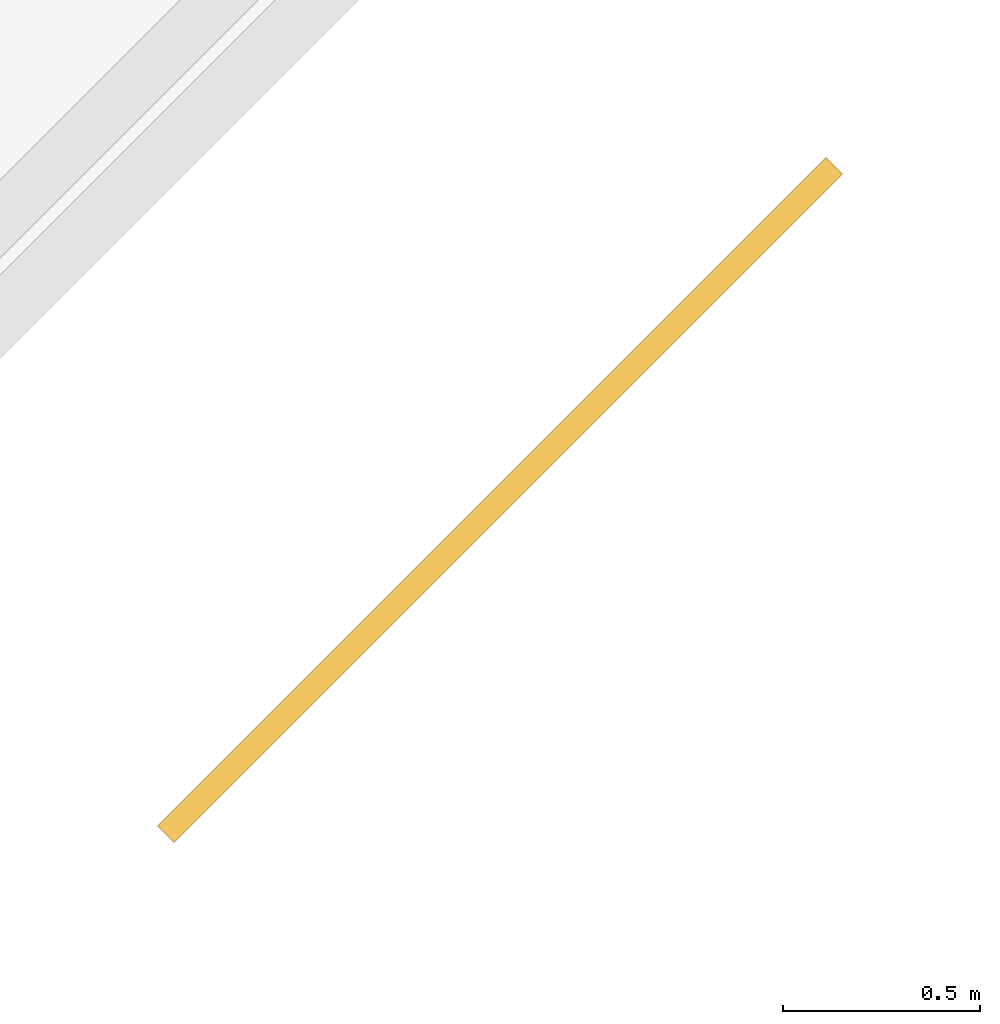
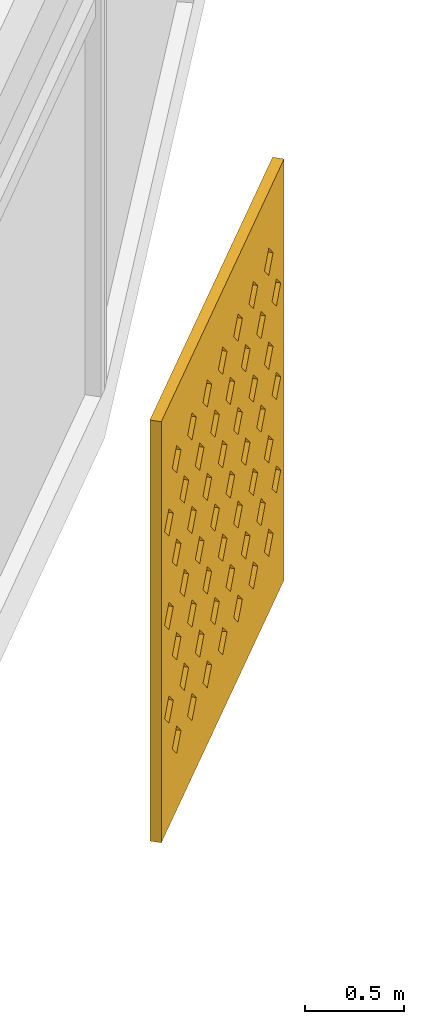
# One storey, part 31 of 31: 1 shading device.
"""IFC4 building model written with IfcOpenShell, lengths in metres."""

from ifc_helpers import new_model, si_unit, direction, frame, origin, place, context, subcontext, project, spatial, polyline, outline, extrude, material, material_profile, profile_set, type_object, element, save


model = new_model("IFC4")

# Units and contexts
model_context = context("Model", 3, precision=1e-05, world=origin(), true_north=direction((0.0, 1.0)))
body_context = subcontext(model_context, "Body", "Model", "MODEL_VIEW")
ifc_project = project(units=[si_unit("LENGTHUNIT", "METRE"), si_unit("AREAUNIT", "SQUARE_METRE"), si_unit("VOLUMEUNIT", "CUBIC_METRE"), si_unit("PLANEANGLEUNIT", "RADIAN"), si_unit("MASSUNIT", "GRAM", prefix="KILO")], contexts=[model_context])

# Site, building, storey
site_placement = place(None, origin())
site = spatial("IfcSite", under=ifc_project, at=site_placement, CompositionType="ELEMENT")
building_placement = place(site_placement, origin())
building = spatial("IfcBuilding", under=site, at=building_placement, Name="Qamariyya Broadcast Tower", CompositionType="ELEMENT")
storey_placement = place(building_placement, frame((0.0, 0.0, 82.300048828125)))
storey = spatial("IfcBuildingStorey", under=building, at=storey_placement, Name="L17", CompositionType="ELEMENT", Elevation=82.300048828125)

# Shading device
ifc_material = material(Name="Perforated glazed terracotta", Category="masonry")
ifc_material_profile = material_profile(ifc_material, outline(polyline([(-1.199951171875, -1.300048828125), (1.199951171875, -1.300048828125), (1.199951171875, 1.300048828125), (-1.199951171875, 1.300048828125), (-1.199951171875, -1.300048828125)]), holes=[polyline([(-0.81494140625, -0.86669921875), (-0.89990234375, -0.78173828125), (-0.985107421875, -0.86669921875), (-0.89990234375, -0.95166015625), (-0.81494140625, -0.86669921875)]), polyline([(-0.514892578125, -0.86669921875), (-0.60009765625, -0.78173828125), (-0.68505859375, -0.86669921875), (-0.60009765625, -0.95166015625), (-0.514892578125, -0.86669921875)]), polyline([(-0.215087890625, -0.86669921875), (-0.300048828125, -0.78173828125), (-0.385009765625, -0.86669921875), (-0.300048828125, -0.95166015625), (-0.215087890625, -0.86669921875)]), polyline([(0.0849609375, -0.86669921875), (0.0, -0.78173828125), (-0.0849609375, -0.86669921875), (0.0, -0.95166015625), (0.0849609375, -0.86669921875)]), polyline([(0.385009765625, -0.86669921875), (0.300048828125, -0.78173828125), (0.215087890625, -0.86669921875), (0.300048828125, -0.95166015625), (0.385009765625, -0.86669921875)]), polyline([(0.68505859375, -0.86669921875), (0.60009765625, -0.78173828125), (0.514892578125, -0.86669921875), (0.60009765625, -0.95166015625), (0.68505859375, -0.86669921875)]), polyline([(0.985107421875, -0.86669921875), (0.89990234375, -0.78173828125), (0.81494140625, -0.86669921875), (0.89990234375, -0.95166015625), (0.985107421875, -0.86669921875)]), polyline([(-0.965087890625, -0.577880859375), (-1.050048828125, -0.49267578125), (-1.135009765625, -0.577880859375), (-1.050048828125, -0.662841796875), (-0.965087890625, -0.577880859375)]), polyline([(-0.6650390625, -0.577880859375), (-0.75, -0.49267578125), (-0.8349609375, -0.577880859375), (-0.75, -0.662841796875), (-0.6650390625, -0.577880859375)]), polyline([(-0.364990234375, -0.577880859375), (-0.449951171875, -0.49267578125), (-0.534912109375, -0.577880859375), (-0.449951171875, -0.662841796875), (-0.364990234375, -0.577880859375)]), polyline([(-0.06494140625, -0.577880859375), (-0.14990234375, -0.49267578125), (-0.235107421875, -0.577880859375), (-0.14990234375, -0.662841796875), (-0.06494140625, -0.577880859375)]), polyline([(0.235107421875, -0.577880859375), (0.14990234375, -0.49267578125), (0.06494140625, -0.577880859375), (0.14990234375, -0.662841796875), (0.235107421875, -0.577880859375)]), polyline([(0.534912109375, -0.577880859375), (0.449951171875, -0.49267578125), (0.364990234375, -0.577880859375), (0.449951171875, -0.662841796875), (0.534912109375, -0.577880859375)]), polyline([(0.8349609375, -0.577880859375), (0.75, -0.49267578125), (0.6650390625, -0.577880859375), (0.75, -0.662841796875), (0.8349609375, -0.577880859375)]), polyline([(1.135009765625, -0.577880859375), (1.050048828125, -0.49267578125), (0.965087890625, -0.577880859375), (1.050048828125, -0.662841796875), (1.135009765625, -0.577880859375)]), polyline([(-0.81494140625, -0.288818359375), (-0.89990234375, -0.203857421875), (-0.985107421875, -0.288818359375), (-0.89990234375, -0.373779296875), (-0.81494140625, -0.288818359375)]), polyline([(-0.514892578125, -0.288818359375), (-0.60009765625, -0.203857421875), (-0.68505859375, -0.288818359375), (-0.60009765625, -0.373779296875), (-0.514892578125, -0.288818359375)]), polyline([(-0.215087890625, -0.288818359375), (-0.300048828125, -0.203857421875), (-0.385009765625, -0.288818359375), (-0.300048828125, -0.373779296875), (-0.215087890625, -0.288818359375)]), polyline([(0.0849609375, -0.288818359375), (0.0, -0.203857421875), (-0.0849609375, -0.288818359375), (0.0, -0.373779296875), (0.0849609375, -0.288818359375)]), polyline([(0.385009765625, -0.288818359375), (0.300048828125, -0.203857421875), (0.215087890625, -0.288818359375), (0.300048828125, -0.373779296875), (0.385009765625, -0.288818359375)]), polyline([(0.68505859375, -0.288818359375), (0.60009765625, -0.203857421875), (0.514892578125, -0.288818359375), (0.60009765625, -0.373779296875), (0.68505859375, -0.288818359375)]), polyline([(0.985107421875, -0.288818359375), (0.89990234375, -0.203857421875), (0.81494140625, -0.288818359375), (0.89990234375, -0.373779296875), (0.985107421875, -0.288818359375)]), polyline([(-0.965087890625, 0.0), (-1.050048828125, 0.0849609375), (-1.135009765625, 0.0), (-1.050048828125, -0.0849609375), (-0.965087890625, 0.0)]), polyline([(-0.6650390625, 0.0), (-0.75, 0.0849609375), (-0.8349609375, 0.0), (-0.75, -0.0849609375), (-0.6650390625, 0.0)]), polyline([(-0.364990234375, 0.0), (-0.449951171875, 0.0849609375), (-0.534912109375, 0.0), (-0.449951171875, -0.0849609375), (-0.364990234375, 0.0)]), polyline([(-0.06494140625, 0.0), (-0.14990234375, 0.0849609375), (-0.235107421875, 0.0), (-0.14990234375, -0.0849609375), (-0.06494140625, 0.0)]), polyline([(0.235107421875, 0.0), (0.14990234375, 0.0849609375), (0.06494140625, 0.0), (0.14990234375, -0.0849609375), (0.235107421875, 0.0)]), polyline([(0.534912109375, 0.0), (0.449951171875, 0.0849609375), (0.364990234375, 0.0), (0.449951171875, -0.0849609375), (0.534912109375, 0.0)]), polyline([(0.8349609375, 0.0), (0.75, 0.0849609375), (0.6650390625, 0.0), (0.75, -0.0849609375), (0.8349609375, 0.0)]), polyline([(1.135009765625, 0.0), (1.050048828125, 0.0849609375), (0.965087890625, 0.0), (1.050048828125, -0.0849609375), (1.135009765625, 0.0)]), polyline([(-0.81494140625, 0.288818359375), (-0.89990234375, 0.373779296875), (-0.985107421875, 0.288818359375), (-0.89990234375, 0.203857421875), (-0.81494140625, 0.288818359375)]), polyline([(-0.514892578125, 0.288818359375), (-0.60009765625, 0.373779296875), (-0.68505859375, 0.288818359375), (-0.60009765625, 0.203857421875), (-0.514892578125, 0.288818359375)]), polyline([(-0.215087890625, 0.288818359375), (-0.300048828125, 0.373779296875), (-0.385009765625, 0.288818359375), (-0.300048828125, 0.203857421875), (-0.215087890625, 0.288818359375)]), polyline([(0.0849609375, 0.288818359375), (0.0, 0.373779296875), (-0.0849609375, 0.288818359375), (0.0, 0.203857421875), (0.0849609375, 0.288818359375)]), polyline([(0.385009765625, 0.288818359375), (0.300048828125, 0.373779296875), (0.215087890625, 0.288818359375), (0.300048828125, 0.203857421875), (0.385009765625, 0.288818359375)]), polyline([(0.68505859375, 0.288818359375), (0.60009765625, 0.373779296875), (0.514892578125, 0.288818359375), (0.60009765625, 0.203857421875), (0.68505859375, 0.288818359375)]), polyline([(0.985107421875, 0.288818359375), (0.89990234375, 0.373779296875), (0.81494140625, 0.288818359375), (0.89990234375, 0.203857421875), (0.985107421875, 0.288818359375)]), polyline([(-0.965087890625, 0.577880859375), (-1.050048828125, 0.662841796875), (-1.135009765625, 0.577880859375), (-1.050048828125, 0.49267578125), (-0.965087890625, 0.577880859375)]), polyline([(-0.6650390625, 0.577880859375), (-0.75, 0.662841796875), (-0.8349609375, 0.577880859375), (-0.75, 0.49267578125), (-0.6650390625, 0.577880859375)]), polyline([(-0.364990234375, 0.577880859375), (-0.449951171875, 0.662841796875), (-0.534912109375, 0.577880859375), (-0.449951171875, 0.49267578125), (-0.364990234375, 0.577880859375)]), polyline([(-0.06494140625, 0.577880859375), (-0.14990234375, 0.662841796875), (-0.235107421875, 0.577880859375), (-0.14990234375, 0.49267578125), (-0.06494140625, 0.577880859375)]), polyline([(0.235107421875, 0.577880859375), (0.14990234375, 0.662841796875), (0.06494140625, 0.577880859375), (0.14990234375, 0.49267578125), (0.235107421875, 0.577880859375)]), polyline([(0.534912109375, 0.577880859375), (0.449951171875, 0.662841796875), (0.364990234375, 0.577880859375), (0.449951171875, 0.49267578125), (0.534912109375, 0.577880859375)]), polyline([(0.8349609375, 0.577880859375), (0.75, 0.662841796875), (0.6650390625, 0.577880859375), (0.75, 0.49267578125), (0.8349609375, 0.577880859375)]), polyline([(1.135009765625, 0.577880859375), (1.050048828125, 0.662841796875), (0.965087890625, 0.577880859375), (1.050048828125, 0.49267578125), (1.135009765625, 0.577880859375)]), polyline([(-0.81494140625, 0.86669921875), (-0.89990234375, 0.95166015625), (-0.985107421875, 0.86669921875), (-0.89990234375, 0.78173828125), (-0.81494140625, 0.86669921875)]), polyline([(-0.514892578125, 0.86669921875), (-0.60009765625, 0.95166015625), (-0.68505859375, 0.86669921875), (-0.60009765625, 0.78173828125), (-0.514892578125, 0.86669921875)]), polyline([(-0.215087890625, 0.86669921875), (-0.300048828125, 0.95166015625), (-0.385009765625, 0.86669921875), (-0.300048828125, 0.78173828125), (-0.215087890625, 0.86669921875)]), polyline([(0.0849609375, 0.86669921875), (0.0, 0.95166015625), (-0.0849609375, 0.86669921875), (0.0, 0.78173828125), (0.0849609375, 0.86669921875)]), polyline([(0.385009765625, 0.86669921875), (0.300048828125, 0.95166015625), (0.215087890625, 0.86669921875), (0.300048828125, 0.78173828125), (0.385009765625, 0.86669921875)]), polyline([(0.68505859375, 0.86669921875), (0.60009765625, 0.95166015625), (0.514892578125, 0.86669921875), (0.60009765625, 0.78173828125), (0.68505859375, 0.86669921875)]), polyline([(0.985107421875, 0.86669921875), (0.89990234375, 0.95166015625), (0.81494140625, 0.86669921875), (0.89990234375, 0.78173828125), (0.985107421875, 0.86669921875)])]))
ifc_profile_set = profile_set([ifc_material_profile], Name="Perforated glazed terracotta")
shading_device_type = type_object("IfcShadingDeviceType", Name="Perforated terracotta screen 2400 x 2600", PredefinedType="USERDEFINED", material=ifc_profile_set)
shading_device_placement = place(storey_placement, frame((58.9033203125, -55.293701171875, 1.349853515625), z_axis=(0.707106781187, -0.707106781187, 0.0), x_axis=(0.707106781187, 0.707106781187, 0.0)))
element("IfcShadingDevice", 1, at=shading_device_placement, inside=storey, type_object=shading_device_type, Name="e-scr-L17-14-2", ObjectType="SCREEN", PredefinedType="USERDEFINED", context=body_context, shape_type="SweptSolid", body=[
    extrude(outline(polyline([(-1.199951171875, -1.300048828125), (1.199951171875, -1.300048828125), (1.199951171875, 1.300048828125), (-1.199951171875, 1.300048828125), (-1.199951171875, -1.300048828125)]), holes=[polyline([(-0.81494140625, -0.86669921875), (-0.89990234375, -0.78173828125), (-0.985107421875, -0.86669921875), (-0.89990234375, -0.95166015625), (-0.81494140625, -0.86669921875)]), polyline([(-0.514892578125, -0.86669921875), (-0.60009765625, -0.78173828125), (-0.68505859375, -0.86669921875), (-0.60009765625, -0.95166015625), (-0.514892578125, -0.86669921875)]), polyline([(-0.215087890625, -0.86669921875), (-0.300048828125, -0.78173828125), (-0.385009765625, -0.86669921875), (-0.300048828125, -0.95166015625), (-0.215087890625, -0.86669921875)]), polyline([(0.0849609375, -0.86669921875), (0.0, -0.78173828125), (-0.0849609375, -0.86669921875), (0.0, -0.95166015625), (0.0849609375, -0.86669921875)]), polyline([(0.385009765625, -0.86669921875), (0.300048828125, -0.78173828125), (0.215087890625, -0.86669921875), (0.300048828125, -0.95166015625), (0.385009765625, -0.86669921875)]), polyline([(0.68505859375, -0.86669921875), (0.60009765625, -0.78173828125), (0.514892578125, -0.86669921875), (0.60009765625, -0.95166015625), (0.68505859375, -0.86669921875)]), polyline([(0.985107421875, -0.86669921875), (0.89990234375, -0.78173828125), (0.81494140625, -0.86669921875), (0.89990234375, -0.95166015625), (0.985107421875, -0.86669921875)]), polyline([(-0.965087890625, -0.577880859375), (-1.050048828125, -0.49267578125), (-1.135009765625, -0.577880859375), (-1.050048828125, -0.662841796875), (-0.965087890625, -0.577880859375)]), polyline([(-0.6650390625, -0.577880859375), (-0.75, -0.49267578125), (-0.8349609375, -0.577880859375), (-0.75, -0.662841796875), (-0.6650390625, -0.577880859375)]), polyline([(-0.364990234375, -0.577880859375), (-0.449951171875, -0.49267578125), (-0.534912109375, -0.577880859375), (-0.449951171875, -0.662841796875), (-0.364990234375, -0.577880859375)]), polyline([(-0.06494140625, -0.577880859375), (-0.14990234375, -0.49267578125), (-0.235107421875, -0.577880859375), (-0.14990234375, -0.662841796875), (-0.06494140625, -0.577880859375)]), polyline([(0.235107421875, -0.577880859375), (0.14990234375, -0.49267578125), (0.06494140625, -0.577880859375), (0.14990234375, -0.662841796875), (0.235107421875, -0.577880859375)]), polyline([(0.534912109375, -0.577880859375), (0.449951171875, -0.49267578125), (0.364990234375, -0.577880859375), (0.449951171875, -0.662841796875), (0.534912109375, -0.577880859375)]), polyline([(0.8349609375, -0.577880859375), (0.75, -0.49267578125), (0.6650390625, -0.577880859375), (0.75, -0.662841796875), (0.8349609375, -0.577880859375)]), polyline([(1.135009765625, -0.577880859375), (1.050048828125, -0.49267578125), (0.965087890625, -0.577880859375), (1.050048828125, -0.662841796875), (1.135009765625, -0.577880859375)]), polyline([(-0.81494140625, -0.288818359375), (-0.89990234375, -0.203857421875), (-0.985107421875, -0.288818359375), (-0.89990234375, -0.373779296875), (-0.81494140625, -0.288818359375)]), polyline([(-0.514892578125, -0.288818359375), (-0.60009765625, -0.203857421875), (-0.68505859375, -0.288818359375), (-0.60009765625, -0.373779296875), (-0.514892578125, -0.288818359375)]), polyline([(-0.215087890625, -0.288818359375), (-0.300048828125, -0.203857421875), (-0.385009765625, -0.288818359375), (-0.300048828125, -0.373779296875), (-0.215087890625, -0.288818359375)]), polyline([(0.0849609375, -0.288818359375), (0.0, -0.203857421875), (-0.0849609375, -0.288818359375), (0.0, -0.373779296875), (0.0849609375, -0.288818359375)]), polyline([(0.385009765625, -0.288818359375), (0.300048828125, -0.203857421875), (0.215087890625, -0.288818359375), (0.300048828125, -0.373779296875), (0.385009765625, -0.288818359375)]), polyline([(0.68505859375, -0.288818359375), (0.60009765625, -0.203857421875), (0.514892578125, -0.288818359375), (0.60009765625, -0.373779296875), (0.68505859375, -0.288818359375)]), polyline([(0.985107421875, -0.288818359375), (0.89990234375, -0.203857421875), (0.81494140625, -0.288818359375), (0.89990234375, -0.373779296875), (0.985107421875, -0.288818359375)]), polyline([(-0.965087890625, 0.0), (-1.050048828125, 0.0849609375), (-1.135009765625, 0.0), (-1.050048828125, -0.0849609375), (-0.965087890625, 0.0)]), polyline([(-0.6650390625, 0.0), (-0.75, 0.0849609375), (-0.8349609375, 0.0), (-0.75, -0.0849609375), (-0.6650390625, 0.0)]), polyline([(-0.364990234375, 0.0), (-0.449951171875, 0.0849609375), (-0.534912109375, 0.0), (-0.449951171875, -0.0849609375), (-0.364990234375, 0.0)]), polyline([(-0.06494140625, 0.0), (-0.14990234375, 0.0849609375), (-0.235107421875, 0.0), (-0.14990234375, -0.0849609375), (-0.06494140625, 0.0)]), polyline([(0.235107421875, 0.0), (0.14990234375, 0.0849609375), (0.06494140625, 0.0), (0.14990234375, -0.0849609375), (0.235107421875, 0.0)]), polyline([(0.534912109375, 0.0), (0.449951171875, 0.0849609375), (0.364990234375, 0.0), (0.449951171875, -0.0849609375), (0.534912109375, 0.0)]), polyline([(0.8349609375, 0.0), (0.75, 0.0849609375), (0.6650390625, 0.0), (0.75, -0.0849609375), (0.8349609375, 0.0)]), polyline([(1.135009765625, 0.0), (1.050048828125, 0.0849609375), (0.965087890625, 0.0), (1.050048828125, -0.0849609375), (1.135009765625, 0.0)]), polyline([(-0.81494140625, 0.288818359375), (-0.89990234375, 0.373779296875), (-0.985107421875, 0.288818359375), (-0.89990234375, 0.203857421875), (-0.81494140625, 0.288818359375)]), polyline([(-0.514892578125, 0.288818359375), (-0.60009765625, 0.373779296875), (-0.68505859375, 0.288818359375), (-0.60009765625, 0.203857421875), (-0.514892578125, 0.288818359375)]), polyline([(-0.215087890625, 0.288818359375), (-0.300048828125, 0.373779296875), (-0.385009765625, 0.288818359375), (-0.300048828125, 0.203857421875), (-0.215087890625, 0.288818359375)]), polyline([(0.0849609375, 0.288818359375), (0.0, 0.373779296875), (-0.0849609375, 0.288818359375), (0.0, 0.203857421875), (0.0849609375, 0.288818359375)]), polyline([(0.385009765625, 0.288818359375), (0.300048828125, 0.373779296875), (0.215087890625, 0.288818359375), (0.300048828125, 0.203857421875), (0.385009765625, 0.288818359375)]), polyline([(0.68505859375, 0.288818359375), (0.60009765625, 0.373779296875), (0.514892578125, 0.288818359375), (0.60009765625, 0.203857421875), (0.68505859375, 0.288818359375)]), polyline([(0.985107421875, 0.288818359375), (0.89990234375, 0.373779296875), (0.81494140625, 0.288818359375), (0.89990234375, 0.203857421875), (0.985107421875, 0.288818359375)]), polyline([(-0.965087890625, 0.577880859375), (-1.050048828125, 0.662841796875), (-1.135009765625, 0.577880859375), (-1.050048828125, 0.49267578125), (-0.965087890625, 0.577880859375)]), polyline([(-0.6650390625, 0.577880859375), (-0.75, 0.662841796875), (-0.8349609375, 0.577880859375), (-0.75, 0.49267578125), (-0.6650390625, 0.577880859375)]), polyline([(-0.364990234375, 0.577880859375), (-0.449951171875, 0.662841796875), (-0.534912109375, 0.577880859375), (-0.449951171875, 0.49267578125), (-0.364990234375, 0.577880859375)]), polyline([(-0.06494140625, 0.577880859375), (-0.14990234375, 0.662841796875), (-0.235107421875, 0.577880859375), (-0.14990234375, 0.49267578125), (-0.06494140625, 0.577880859375)]), polyline([(0.235107421875, 0.577880859375), (0.14990234375, 0.662841796875), (0.06494140625, 0.577880859375), (0.14990234375, 0.49267578125), (0.235107421875, 0.577880859375)]), polyline([(0.534912109375, 0.577880859375), (0.449951171875, 0.662841796875), (0.364990234375, 0.577880859375), (0.449951171875, 0.49267578125), (0.534912109375, 0.577880859375)]), polyline([(0.8349609375, 0.577880859375), (0.75, 0.662841796875), (0.6650390625, 0.577880859375), (0.75, 0.49267578125), (0.8349609375, 0.577880859375)]), polyline([(1.135009765625, 0.577880859375), (1.050048828125, 0.662841796875), (0.965087890625, 0.577880859375), (1.050048828125, 0.49267578125), (1.135009765625, 0.577880859375)]), polyline([(-0.81494140625, 0.86669921875), (-0.89990234375, 0.95166015625), (-0.985107421875, 0.86669921875), (-0.89990234375, 0.78173828125), (-0.81494140625, 0.86669921875)]), polyline([(-0.514892578125, 0.86669921875), (-0.60009765625, 0.95166015625), (-0.68505859375, 0.86669921875), (-0.60009765625, 0.78173828125), (-0.514892578125, 0.86669921875)]), polyline([(-0.215087890625, 0.86669921875), (-0.300048828125, 0.95166015625), (-0.385009765625, 0.86669921875), (-0.300048828125, 0.78173828125), (-0.215087890625, 0.86669921875)]), polyline([(0.0849609375, 0.86669921875), (0.0, 0.95166015625), (-0.0849609375, 0.86669921875), (0.0, 0.78173828125), (0.0849609375, 0.86669921875)]), polyline([(0.385009765625, 0.86669921875), (0.300048828125, 0.95166015625), (0.215087890625, 0.86669921875), (0.300048828125, 0.78173828125), (0.385009765625, 0.86669921875)]), polyline([(0.68505859375, 0.86669921875), (0.60009765625, 0.95166015625), (0.514892578125, 0.86669921875), (0.60009765625, 0.78173828125), (0.68505859375, 0.86669921875)]), polyline([(0.985107421875, 0.86669921875), (0.89990234375, 0.95166015625), (0.81494140625, 0.86669921875), (0.89990234375, 0.78173828125), (0.985107421875, 0.86669921875)])]), origin(), (0.0, 0.0, 1.0), 0.06005859375),
])

save(model, "model.ifc")
